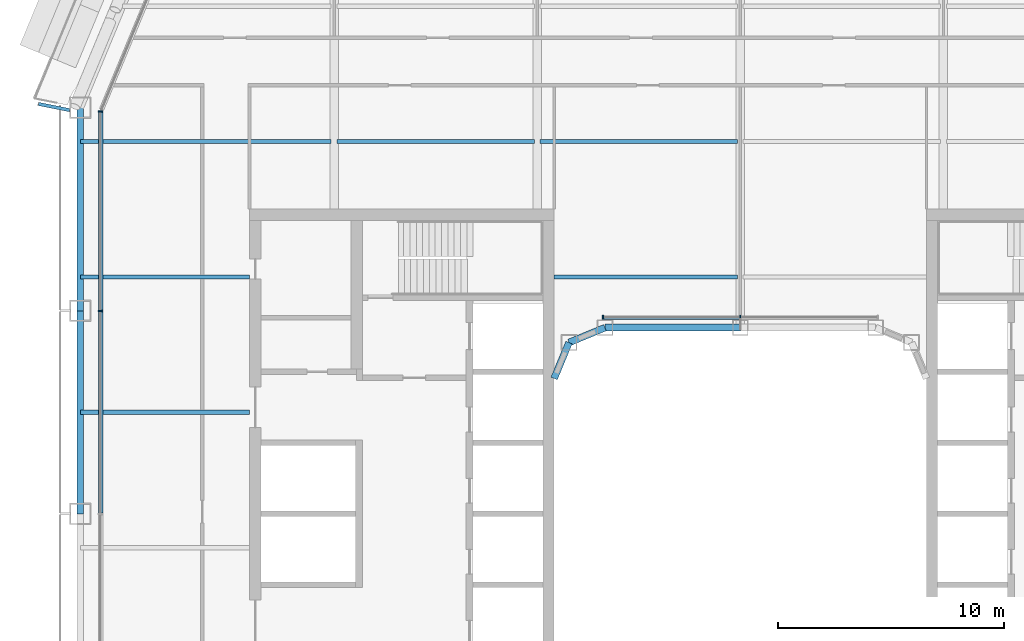
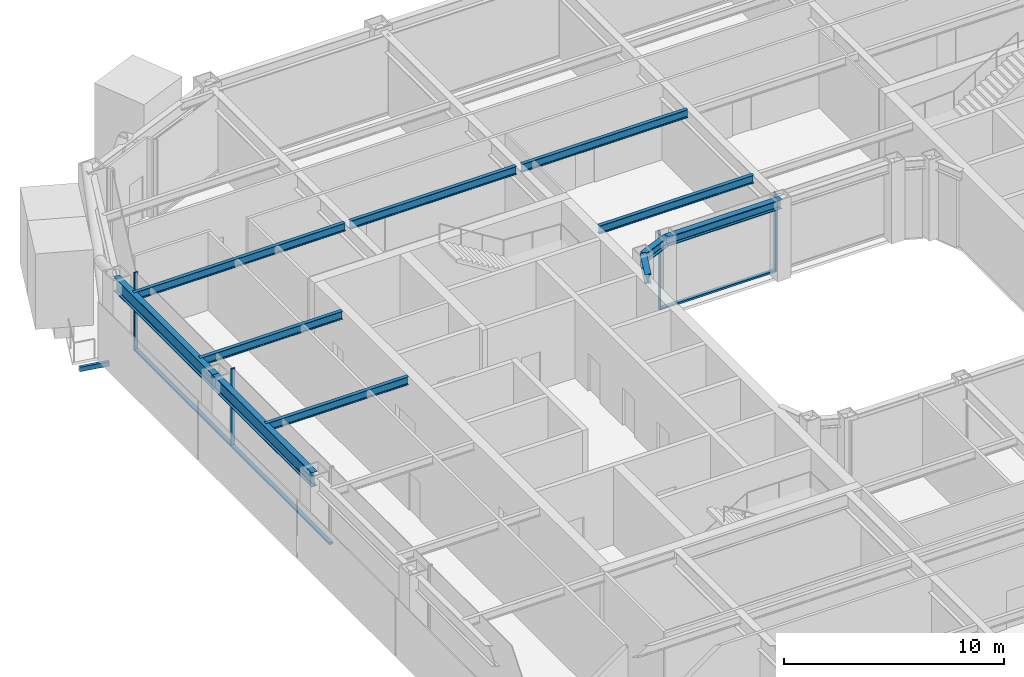
# One storey, part 6 of 23: 12 beams, 7 members, 2 elements without a shape of their own.
"""IFC4 building model written with IfcOpenShell, lengths in metres."""

from ifc_helpers import new_model, si_unit, direction, frame, origin, origin_2d, place, context, subcontext, project, spatial, rectangle, hollow_rectangle, i_section, extrude, material, layer, layer_set, material_profile, profile_set, type_object, element, aggregate, save


model = new_model("IFC4")

# Units and contexts
model_context = context("Model", 3, precision=1e-05, world=origin(), true_north=direction((0.0, 1.0)))
body_context = subcontext(model_context, "Body", "Model", "MODEL_VIEW")
ifc_project = project(units=[si_unit("LENGTHUNIT", "METRE"), si_unit("AREAUNIT", "SQUARE_METRE"), si_unit("VOLUMEUNIT", "CUBIC_METRE"), si_unit("PLANEANGLEUNIT", "RADIAN"), si_unit("MASSUNIT", "GRAM", prefix="KILO")], contexts=[model_context])

# Site, building, storey
site_placement = place(None, origin())
site = spatial("IfcSite", under=ifc_project, at=site_placement, CompositionType="ELEMENT")
building_placement = place(site_placement, origin())
building = spatial("IfcBuilding", under=site, at=building_placement, Name="Siwar Civic Tower", CompositionType="ELEMENT")
storey_placement = place(building_placement, frame((0.0, 0.0, 136.199951171875)))
storey = spatial("IfcBuildingStorey", under=building, at=storey_placement, Name="L29", CompositionType="ELEMENT", Elevation=136.199951171875)

# Beam
ifc_material_1 = material(Name="Steel S355", Category="steel")
ifc_material_profile_1 = material_profile(ifc_material_1, hollow_rectangle(XDim=0.14990234375, YDim=0.25, WallThickness=0.010009765625, at=origin_2d()), Name="RHS250x150x10")
ifc_profile_set_1 = profile_set([ifc_material_profile_1], Name="Steel S355")
beam_type_1 = type_object("IfcBeamType", Name="ENV-BALCONY ARM", PredefinedType="BEAM", material=ifc_profile_set_1)
beam_1_placement = place(storey_placement, frame((-29.72509765625, 17.890625, -0.27490234375), z_axis=(-0.980780459814, 0.195114555191, 0.0), x_axis=(-0.195114555191, -0.980780459814, 0.0)))
element("IfcBeam", 1, at=beam_1_placement, inside=storey, type_object=beam_type_1, Name="Balcony cantilever beam NW 3", PredefinedType="BEAM", context=body_context, shape_type="SweptSolid", body=[
    extrude(hollow_rectangle(XDim=0.14990234375, YDim=0.25, WallThickness=0.010009765625, at=origin_2d()), origin(), (0.0, 0.0, 1.0), 1.406494140625),
])

# Curtain wall, members
ifc_material_2 = material(Name="Aluminium and glass", Category="aluminium")
ifc_layer_1 = layer(ifc_material_2, 0.199951171875)
ifc_layer_set_1 = layer_set([ifc_layer_1], Name="Aluminium and glass")
curtain_wall_type_1 = type_object("IfcCurtainWallType", Name="ENV-CW-B", PredefinedType="NOTDEFINED", material=ifc_layer_set_1)
curtain_wall_1_placement = place(storey_placement, origin())
curtain_wall_1 = element("IfcCurtainWall", 2, at=curtain_wall_1_placement, inside=storey, type_object=curtain_wall_type_1, Name="Curtain wall B W", PredefinedType="NOTDEFINED")
ifc_material_3 = material(Name="Aluminium 6063-T6", Category="aluminium")
ifc_material_profile_2 = material_profile(ifc_material_3, rectangle(XDim=0.199951171875, YDim=0.06494140625, at=origin_2d()), Name="AL 200x65")
ifc_profile_set_2 = profile_set([ifc_material_profile_2], Name="Aluminium 6063-T6")
member_type_1 = type_object("IfcMemberType", Name="ENV-MULLION-B", PredefinedType="MULLION", material=ifc_profile_set_2)
member_1_placement = place(storey_placement, frame((-28.35009765625, 17.821044921875, 0.0), z_axis=(0.0, 0.0, 1.0), x_axis=(1.0, 0.0, 0.0)))
member_1 = element("IfcMember", 3, at=member_1_placement, type_object=member_type_1, Name="Mullion B W 1", PredefinedType="MULLION", context=body_context, shape_type="SweptSolid", body=[
    extrude(rectangle(XDim=0.199951171875, YDim=0.06494140625, at=origin_2d()), origin(), (0.0, 0.0, 1.0), 4.35009765625),
])
member_2_placement = place(storey_placement, frame((-28.35009765625, 9.0, 0.0), z_axis=(0.0, 0.0, 1.0), x_axis=(1.0, 0.0, 0.0)))
member_2 = element("IfcMember", 4, at=member_2_placement, type_object=member_type_1, Name="Mullion B W 2", PredefinedType="MULLION", context=body_context, shape_type="SweptSolid", body=[
    extrude(rectangle(XDim=0.199951171875, YDim=0.06494140625, at=origin_2d()), origin(), (0.0, 0.0, 1.0), 4.35009765625),
])

ifc_material_4 = material(Name="Aluminium and glass", Category="aluminium")
ifc_layer_2 = layer(ifc_material_4, 0.179931640625)
ifc_layer_set_2 = layer_set([ifc_layer_2], Name="Aluminium and glass")
curtain_wall_type_2 = type_object("IfcCurtainWallType", Name="ENV-CW-W", PredefinedType="NOTDEFINED", material=ifc_layer_set_2)
curtain_wall_2_placement = place(storey_placement, origin())
curtain_wall_2 = element("IfcCurtainWall", 5, at=curtain_wall_2_placement, inside=storey, type_object=curtain_wall_type_2, Name="Curtain wall W WN", PredefinedType="NOTDEFINED")
ifc_material_5 = material(Name="Aluminium 6063-T6", Category="aluminium")
ifc_material_profile_3 = material_profile(ifc_material_5, rectangle(XDim=0.179931640625, YDim=0.06005859375, at=origin_2d()), Name="AL 180x60")
ifc_profile_set_3 = profile_set([ifc_material_profile_3], Name="Aluminium 6063-T6")
member_type_2 = type_object("IfcMemberType", Name="ENV-MULLION-W", PredefinedType="MULLION", material=ifc_profile_set_3)
member_3_placement = place(storey_placement, frame((0.0, 8.7099609375, 0.0), z_axis=(0.0, 0.0, 1.0), x_axis=(0.0, -1.0, 0.0)))
member_3 = element("IfcMember", 6, at=member_3_placement, type_object=member_type_2, Name="Mullion W WN 2", PredefinedType="MULLION", context=body_context, shape_type="SweptSolid", body=[
    extrude(rectangle(XDim=0.179931640625, YDim=0.06005859375, at=origin_2d()), origin(), (0.0, 0.0, 1.0), 4.35009765625),
])
member_4_placement = place(storey_placement, frame((-6.091552734375, 8.7099609375, 0.0), z_axis=(0.0, 0.0, 1.0), x_axis=(0.0, -1.0, 0.0)))
member_4 = element("IfcMember", 7, at=member_4_placement, type_object=member_type_2, Name="Mullion W WN 3", PredefinedType="MULLION", context=body_context, shape_type="SweptSolid", body=[
    extrude(rectangle(XDim=0.179931640625, YDim=0.06005859375, at=origin_2d()), origin(), (0.0, 0.0, 1.0), 4.35009765625),
])

# Member
ifc_material_6 = material(Name="Aluminium 6063-T6", Category="aluminium")
ifc_material_profile_4 = material_profile(ifc_material_6, rectangle(XDim=0.199951171875, YDim=0.110107421875, at=origin_2d()), Name="AL 200x110")
ifc_profile_set_4 = profile_set([ifc_material_profile_4], Name="Aluminium 6063-T6")
member_type_3 = type_object("IfcMemberType", Name="ENV-TRANSOM-B", PredefinedType="USERDEFINED", material=ifc_profile_set_4)
member_5_placement = place(storey_placement, frame((-28.35009765625, 17.78857421875, 0.054931640625), z_axis=(0.0, -1.0, 0.0), x_axis=(1.0, 0.0, 0.0)))
member_5 = element("IfcMember", 8, at=member_5_placement, type_object=member_type_3, Name="Transom B W 1", ObjectType="TRANSOM", PredefinedType="USERDEFINED", context=body_context, shape_type="SweptSolid", body=[
    extrude(rectangle(XDim=0.199951171875, YDim=0.110107421875, at=origin_2d()), origin(), (0.0, 0.0, 1.0), 8.756103515625),
])

member_6_placement = place(storey_placement, frame((-28.35009765625, 8.967529296875, 0.054931640625), z_axis=(0.0, -1.0, 0.0), x_axis=(1.0, 0.0, 0.0)))
member_6 = element("IfcMember", 9, at=member_6_placement, type_object=member_type_3, Name="Transom B W 2", ObjectType="TRANSOM", PredefinedType="USERDEFINED", context=body_context, shape_type="SweptSolid", body=[
    extrude(rectangle(XDim=0.199951171875, YDim=0.110107421875, at=origin_2d()), origin(), (0.0, 0.0, 1.0), 8.93505859375),
])

aggregate(curtain_wall_1, [member_1, member_2, member_5, member_6])

ifc_material_7 = material(Name="Aluminium 6063-T6", Category="aluminium")
ifc_material_profile_5 = material_profile(ifc_material_7, rectangle(XDim=0.179931640625, YDim=0.10009765625, at=origin_2d()), Name="AL 180x100")
ifc_profile_set_5 = profile_set([ifc_material_profile_5], Name="Aluminium 6063-T6")
member_type_4 = type_object("IfcMemberType", Name="ENV-TRANSOM-W", PredefinedType="USERDEFINED", material=ifc_profile_set_5)
member_7_placement = place(storey_placement, frame((-0.030029296875, 8.7099609375, 0.050048828125), z_axis=(-1.0, 0.0, 0.0), x_axis=(0.0, -1.0, 0.0)))
member_7 = element("IfcMember", 10, at=member_7_placement, type_object=member_type_4, Name="Transom W WN 2", ObjectType="TRANSOM", PredefinedType="USERDEFINED", context=body_context, shape_type="SweptSolid", body=[
    extrude(rectangle(XDim=0.179931640625, YDim=0.10009765625, at=origin_2d()), origin(), (0.0, 0.0, 1.0), 6.031494140625),
])

aggregate(curtain_wall_2, [member_3, member_4, member_7])

# Beams
ifc_material_8 = material(Name="Steel S355", Category="steel")
ifc_material_profile_6 = material_profile(ifc_material_8, i_section(OverallWidth=0.18994140625, OverallDepth=0.449951171875, WebThickness=0.009521484375, FlangeThickness=0.0146484375, FilletRadius=0.02099609375, at=origin_2d()), Name="IPE450")
ifc_profile_set_6 = profile_set([ifc_material_profile_6], Name="Steel S355")
beam_type_2 = type_object("IfcBeamType", Name="STR-FB-IPE450", PredefinedType="JOIST", material=ifc_profile_set_6)
for number, where, z_axis, x_axis, name in (
    (11, (-29.25, 4.5, 4.125), (1.0, 0.0, 0.0), (0.0, 1.0, 0.0), "L29/bm/F025"),
    (12, (-29.25, 10.5, 4.125), (1.0, 0.0, 0.0), (0.0, 1.0, 0.0), "L29/bm/F027"),
):
    element("IfcBeam", number, at=place(storey_placement, frame(where, z_axis=z_axis, x_axis=x_axis)), inside=storey, type_object=beam_type_2, Name=name, PredefinedType="JOIST", context=body_context, shape_type="SweptSolid", body=[
        extrude(i_section(OverallWidth=0.18994140625, OverallDepth=0.449951171875, WebThickness=0.009521484375, FlangeThickness=0.0146484375, FilletRadius=0.02099609375, at=origin_2d()), origin(), (0.0, 0.0, 1.0), 7.5),
    ])
beam_2_placement = place(storey_placement, frame((-8.25, 10.5, 4.125), z_axis=(1.0, 0.0, 0.0), x_axis=(0.0, 1.0, 0.0)))
element("IfcBeam", 13, at=beam_2_placement, inside=storey, type_object=beam_type_2, Name="L29/bm/F028", PredefinedType="JOIST", context=body_context, shape_type="SweptSolid", body=[
    extrude(i_section(OverallWidth=0.18994140625, OverallDepth=0.449951171875, WebThickness=0.009521484375, FlangeThickness=0.0146484375, FilletRadius=0.02099609375, at=origin_2d()), origin(), (0.0, 0.0, 1.0), 8.1201171875),
])
beam_3_placement = place(storey_placement, frame((-29.25, 16.5, 4.125), z_axis=(1.0, 0.0, 0.0), x_axis=(0.0, 1.0, 0.0)))
element("IfcBeam", 14, at=beam_3_placement, inside=storey, type_object=beam_type_2, Name="L29/bm/F031", PredefinedType="JOIST", context=body_context, shape_type="SweptSolid", body=[
    extrude(i_section(OverallWidth=0.18994140625, OverallDepth=0.449951171875, WebThickness=0.009521484375, FlangeThickness=0.0146484375, FilletRadius=0.02099609375, at=origin_2d()), origin(), (0.0, 0.0, 1.0), 11.1201171875),
])
for number, where, z_axis, x_axis, name in (
    (15, (-17.8701171875, 16.5, 4.125), (1.0, 0.0, 0.0), (0.0, 1.0, 0.0), "L29/bm/F032"),
    (16, (-8.8701171875, 16.5, 4.125), (1.0, 0.0, 0.0), (0.0, 1.0, 0.0), "L29/bm/F033"),
):
    element("IfcBeam", number, at=place(storey_placement, frame(where, z_axis=z_axis, x_axis=x_axis)), inside=storey, type_object=beam_type_2, Name=name, PredefinedType="JOIST", context=body_context, shape_type="SweptSolid", body=[
        extrude(i_section(OverallWidth=0.18994140625, OverallDepth=0.449951171875, WebThickness=0.009521484375, FlangeThickness=0.0146484375, FilletRadius=0.02099609375, at=origin_2d()), origin(), (0.0, 0.0, 1.0), 8.740234375),
    ])
ifc_material_9 = material(Name="Steel S355", Category="steel")
ifc_material_profile_7 = material_profile(ifc_material_9, i_section(OverallWidth=0.305908203125, OverallDepth=0.52392578125, WebThickness=0.02099609375, FlangeThickness=0.0400390625, FilletRadius=0.027099609375, at=origin_2d()), Name="HEM500")
ifc_profile_set_7 = profile_set([ifc_material_profile_7], Name="Steel S355")
beam_type_3 = type_object("IfcBeamType", Name="STR-RB-HEM500", PredefinedType="BEAM", material=ifc_profile_set_7)
beam_4_placement = place(storey_placement, frame((-7.591064453125, 7.591064453125, 4.088134765625), z_axis=(0.923901072997, 0.382631424892, 0.0), x_axis=(-0.382631424892, 0.923901072997, 0.0)))
element("IfcBeam", 17, at=beam_4_placement, inside=storey, type_object=beam_type_3, Name="L29/bm/RN0", PredefinedType="BEAM", context=body_context, shape_type="SweptSolid", body=[
    extrude(i_section(OverallWidth=0.305908203125, OverallDepth=0.52392578125, WebThickness=0.02099609375, FlangeThickness=0.0400390625, FilletRadius=0.027099609375, at=origin_2d()), origin(), (0.0, 0.0, 1.0), 1.72216796875),
])
beam_5_placement = place(storey_placement, frame((-6.0, 8.25, 4.088134765625), z_axis=(1.0, 0.0, 0.0), x_axis=(0.0, 1.0, 0.0)))
element("IfcBeam", 18, at=beam_5_placement, inside=storey, type_object=beam_type_3, Name="L29/bm/RN1", PredefinedType="BEAM", context=body_context, shape_type="SweptSolid", body=[
    extrude(i_section(OverallWidth=0.305908203125, OverallDepth=0.52392578125, WebThickness=0.02099609375, FlangeThickness=0.0400390625, FilletRadius=0.027099609375, at=origin_2d()), origin(), (0.0, 0.0, 1.0), 6.0),
])
beam_6_placement = place(storey_placement, frame((-7.591064453125, 7.591064453125, 4.088134765625), z_axis=(-0.382631424892, -0.923901072997, 0.0), x_axis=(0.923901072997, -0.382631424892, 0.0)))
element("IfcBeam", 19, at=beam_6_placement, inside=storey, type_object=beam_type_3, Name="L29/bm/RNEW", PredefinedType="BEAM", context=body_context, shape_type="SweptSolid", body=[
    extrude(i_section(OverallWidth=0.305908203125, OverallDepth=0.52392578125, WebThickness=0.02099609375, FlangeThickness=0.0400390625, FilletRadius=0.027099609375, at=origin_2d()), origin(), (0.0, 0.0, 1.0), 1.72216796875),
])
ifc_material_10 = material(Name="Steel S355", Category="steel")
ifc_material_profile_8 = material_profile(ifc_material_10, i_section(OverallWidth=0.300048828125, OverallDepth=0.800048828125, WebThickness=0.017578125, FlangeThickness=0.032958984375, FilletRadius=0.030029296875, at=origin_2d()), Name="HEB800")
ifc_profile_set_8 = profile_set([ifc_material_profile_8], Name="Steel S355")
beam_type_4 = type_object("IfcBeamType", Name="STR-SB-HEB800", PredefinedType="BEAM", material=ifc_profile_set_8)
for number, where, z_axis, x_axis, name in (
    (20, (-29.25, 18.0, 3.949951171875), (0.0, -1.0, 0.0), (1.0, 0.0, 0.0), "L29/bm/SW-0"),
    (21, (-29.25, 9.0, 3.949951171875), (0.0, -1.0, 0.0), (1.0, 0.0, 0.0), "L29/bm/SW-1"),
):
    element("IfcBeam", number, at=place(storey_placement, frame(where, z_axis=z_axis, x_axis=x_axis)), inside=storey, type_object=beam_type_4, Name=name, PredefinedType="BEAM", context=body_context, shape_type="SweptSolid", body=[
        extrude(i_section(OverallWidth=0.300048828125, OverallDepth=0.800048828125, WebThickness=0.017578125, FlangeThickness=0.032958984375, FilletRadius=0.030029296875, at=origin_2d()), origin(), (0.0, 0.0, 1.0), 9.0),
    ])

save(model, "model.ifc")
